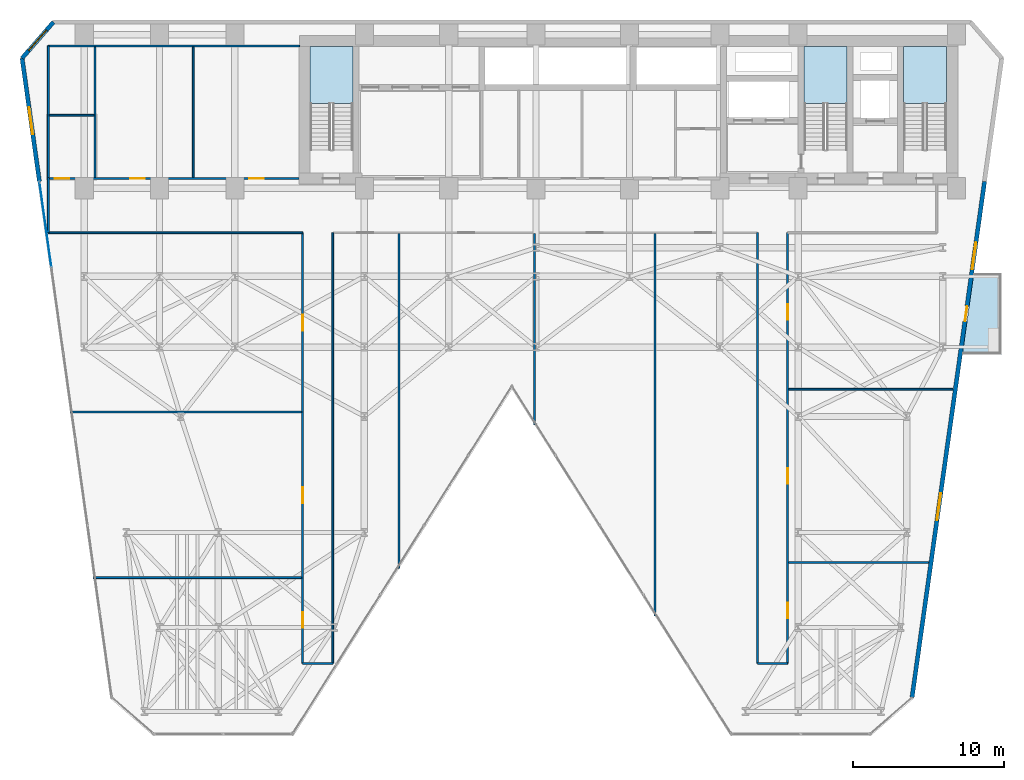
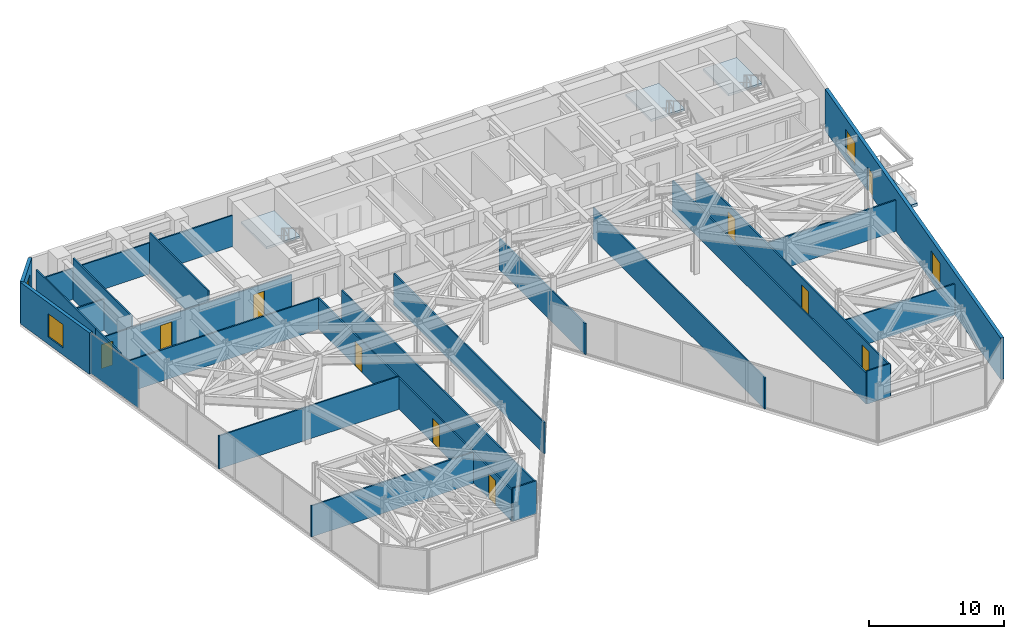
# One storey, part 19 of 24: 24 walls, 10 doors, 4 slabs, 4 windows, 1 plate, 14 openings, 4 elements without a shape of their own.
"""IFC4 building model written with IfcOpenShell, lengths in metres."""

from ifc_helpers import new_model, si_unit, direction, frame, frame_2d, origin, origin_2d, place, context, subcontext, project, spatial, polyline, rectangle, outline, extrude, material, layer, layer_set, type_object, element, fill, aggregate, save


model = new_model("IFC4")

# Units and contexts
model_context = context("Model", 3, precision=1e-05, world=origin(), true_north=direction((0.0, 1.0)))
body_context = subcontext(model_context, "Body", "Model", "MODEL_VIEW")
ifc_project = project(units=[si_unit("LENGTHUNIT", "METRE"), si_unit("AREAUNIT", "SQUARE_METRE"), si_unit("VOLUMEUNIT", "CUBIC_METRE"), si_unit("PLANEANGLEUNIT", "RADIAN"), si_unit("MASSUNIT", "GRAM", prefix="KILO")], contexts=[model_context])

# Site, building, storey
site_placement = place(None, origin())
site = spatial("IfcSite", under=ifc_project, at=site_placement, CompositionType="ELEMENT")
building_placement = place(site_placement, origin())
building = spatial("IfcBuilding", under=site, at=building_placement, Name="Kravanh Interchange Tower", CompositionType="ELEMENT")
storey_placement = place(building_placement, frame((0.0, 0.0, 45.5)))
storey = spatial("IfcBuildingStorey", under=building, at=storey_placement, Name="L10", CompositionType="ELEMENT", Elevation=45.5)

# Stair, slab
ifc_material_1 = material(Name="Concrete C50/60", Category="concrete")
stair_type = type_object("IfcStairType", Name="Core Fire Exit Dogleg Stair Concrete C50/60", PredefinedType="HALF_TURN_STAIR", material=ifc_material_1)
stair_1_placement = place(storey_placement, origin())
stair_1 = element("IfcStair", 1, at=stair_1_placement, inside=storey, type_object=stair_type, Name="L10 Exit Stair ST1", PredefinedType="HALF_TURN_STAIR")
ifc_material_2 = material(Name="Concrete C50/60", Category="concrete")
ifc_layer_1 = layer(ifc_material_2, 0.199951171875)
ifc_layer_set_1 = layer_set([ifc_layer_1], Name="Concrete C50/60 Stair Half-Landing Slab 200mm")
slab_type_1 = type_object("IfcSlabType", Name="Concrete C50/60 Stair Half-Landing Slab 200mm", PredefinedType="LANDING", material=ifc_layer_set_1)
slab_1_placement = place(storey_placement, frame((0.0, 0.0, 1.800048828125)))
slab_1 = element("IfcSlab", 2, at=slab_1_placement, type_object=slab_type_1, Name="ST1 landing 1", PredefinedType="LANDING", context=body_context, shape_type="SweptSolid", body=[
    extrude(outline(polyline([(65.85009765625, 42.97998046875), (65.85009765625, 46.75), (63.0, 46.75), (63.0, 42.97998046875), (65.85009765625, 42.97998046875)])), origin(), (0.0, 0.0, 1.0), 0.199951171875),
])
aggregate(stair_1, [slab_1])

stair_2_placement = place(storey_placement, origin())
stair_2 = element("IfcStair", 3, at=stair_2_placement, inside=storey, type_object=stair_type, Name="L10 Exit Stair ST2", PredefinedType="HALF_TURN_STAIR")
slab_2_placement = place(storey_placement, frame((0.0, 0.0, 1.800048828125)))
slab_2 = element("IfcSlab", 4, at=slab_2_placement, type_object=slab_type_1, Name="ST2 landing 1", PredefinedType="LANDING", context=body_context, shape_type="SweptSolid", body=[
    extrude(outline(polyline([(59.25, 42.97998046875), (59.25, 46.75), (56.39990234375, 46.75), (56.39990234375, 42.97998046875), (59.25, 42.97998046875)])), origin(), (0.0, 0.0, 1.0), 0.199951171875),
])
aggregate(stair_2, [slab_2])

stair_3_placement = place(storey_placement, origin())
stair_3 = element("IfcStair", 5, at=stair_3_placement, inside=storey, type_object=stair_type, Name="L10 Exit Stair ST3", PredefinedType="HALF_TURN_STAIR")
slab_3_placement = place(storey_placement, frame((0.0, 0.0, 1.800048828125)))
slab_3 = element("IfcSlab", 6, at=slab_3_placement, type_object=slab_type_1, Name="ST3 landing 1", PredefinedType="LANDING", context=body_context, shape_type="SweptSolid", body=[
    extrude(outline(polyline([(26.449951171875, 42.97998046875), (26.449951171875, 46.75), (23.60009765625, 46.75), (23.60009765625, 42.97998046875), (26.449951171875, 42.97998046875)])), origin(), (0.0, 0.0, 1.0), 0.199951171875),
])
aggregate(stair_3, [slab_3])

# Slab
ifc_material_3 = material(Name="Concrete C50/60", Category="concrete")
ifc_layer_2 = layer(ifc_material_3, 0.199951171875)
ifc_layer_set_2 = layer_set([ifc_layer_2], Name="Planted Tree Balcony Slab Concrete C50/60 200mm")
slab_type_2 = type_object("IfcSlabType", Name="Planted Tree Balcony Slab Concrete C50/60 200mm", PredefinedType="USERDEFINED", material=ifc_layer_set_2)
slab_4_placement = place(storey_placement, frame((0.0, 0.0, -0.260009765625)))
element("IfcSlab", 7, at=slab_4_placement, inside=storey, type_object=slab_type_2, Name="L10 East Tree Planter Balcony Slab", ObjectType="BALCONY", PredefinedType="USERDEFINED", context=body_context, shape_type="SweptSolid", body=[
    extrude(outline(polyline([(69.489990234375, 31.7099609375), (69.489990234375, 26.31005859375), (66.896484375, 26.31005859375), (67.655517578125, 31.7099609375), (69.489990234375, 31.7099609375)])), origin(), (0.0, 0.0, 1.0), 0.260009765625),
])

# Curtain wall, plate
ifc_material_4 = material(Name="Anodised Bronze Aluminium", Category="aluminium")
ifc_layer_3 = layer(ifc_material_4, 0.179931640625)
ifc_layer_set_3 = layer_set([ifc_layer_3], Name="Unitised Curtain Wall System CW-Z1 Lower Office")
curtain_wall_type = type_object("IfcCurtainWallType", Name="Unitised Curtain Wall System CW-Z1 Lower Office", PredefinedType="NOTDEFINED", material=ifc_layer_set_3)
curtain_wall_placement = place(storey_placement, origin())
curtain_wall = element("IfcCurtainWall", 8, at=curtain_wall_placement, inside=storey, type_object=curtain_wall_type, Name="L10 Unitised Curtain Wall CW-L10-01", PredefinedType="NOTDEFINED")
ifc_material_5 = material(Name="Low-E Laminated Architectural Glass", Category="glass")
ifc_layer_4 = layer(ifc_material_5, 0.028076171875)
ifc_layer_set_4 = layer_set([ifc_layer_4], Name="Solar-Control Double Glazing 28mm")
plate_type = type_object("IfcPlateType", Name="Solar-Control Double Glazing 28mm", PredefinedType="CURTAIN_PANEL", material=ifc_layer_set_4)
plate_placement = place(storey_placement, frame((6.028564453125, 34.927490234375, 0.06005859375), z_axis=(0.0, 0.0, 1.0), x_axis=(-0.139176538065, 0.990267585682, 0.0)))
plate = element("IfcPlate", 9, at=plate_placement, type_object=plate_type, Name="CW-Z1 panel 6.1", PredefinedType="CURTAIN_PANEL", context=body_context, shape_type="SweptSolid", body=[
    extrude(rectangle(XDim=5.66162109375, YDim=0.028076171875, at=origin_2d()), origin(), (0.0, 0.0, 1.0), 3.6201171875),
])
aggregate(curtain_wall, [plate])

# Wall, openings, doors
ifc_material_6 = material(Name="Double Acoustic Gypsum Board and Mineral Wool")
ifc_layer_5 = layer(ifc_material_6, 0.1201171875)
ifc_layer_set_5 = layer_set([ifc_layer_5], Name="Acoustic Office Drywall Partition 120mm")
wall_type_1 = type_object("IfcWallType", Name="Acoustic Office Drywall Partition 120mm", PredefinedType="PARTITIONING", material=ifc_layer_set_5)
wall_1_placement = place(storey_placement, frame((6.219970703125, 38.0, 0.0), z_axis=(0.0, 0.0, 1.0), x_axis=(1.0, 0.0, 0.0)))
wall_1 = element("IfcWall", 10, at=wall_1_placement, inside=storey, type_object=wall_type_1, Name="L10 Restroom Corridor Wall 9", PredefinedType="PARTITIONING", context=body_context, shape_type="SweptSolid", body=[
    extrude(rectangle(XDim=16.630126953125, YDim=0.1201171875, at=frame_2d((8.31494140625, 0.0))), origin(), (0.0, 0.0, 1.0), 2.81298828125),
])
opening_1_placement = place(wall_1_placement, frame((0.424072265625, 0.0, 0.0)))
opening_1 = element("IfcOpeningElement", 11, at=opening_1_placement, cuts=wall_1, Name="Opening D-95", PredefinedType="OPENING", context=body_context, shape_type="SweptSolid", body=[
    extrude(rectangle(XDim=0.949951171875, YDim=2.14990234375, at=frame_2d((0.47509765625, 1.074951171875))), frame((0.0, 0.070068359375, 0.0), z_axis=(0.0, -1.0, 0.0), x_axis=(1.0, 0.0, 0.0)), (0.0, 0.0, 1.0), 0.14013671875),
])
opening_2_placement = place(wall_1_placement, frame((5.444091796875, 0.0, 0.0)))
opening_2 = element("IfcOpeningElement", 12, at=opening_2_placement, cuts=wall_1, Name="Opening D-95", PredefinedType="OPENING", context=body_context, shape_type="SweptSolid", body=[
    extrude(rectangle(XDim=0.949951171875, YDim=2.14990234375, at=frame_2d((0.47509765625, 1.074951171875))), frame((0.0, 0.070068359375, 0.0), z_axis=(0.0, -1.0, 0.0), x_axis=(1.0, 0.0, 0.0)), (0.0, 0.0, 1.0), 0.14013671875),
])
opening_3_placement = place(wall_1_placement, frame((13.343994140625, 0.0, 0.0)))
opening_3 = element("IfcOpeningElement", 13, at=opening_3_placement, cuts=wall_1, Name="Opening D-95", PredefinedType="OPENING", context=body_context, shape_type="SweptSolid", body=[
    extrude(rectangle(XDim=0.949951171875, YDim=2.14990234375, at=frame_2d((0.47509765625, 1.074951171875))), frame((0.0, 0.070068359375, 0.0), z_axis=(0.0, -1.0, 0.0), x_axis=(1.0, 0.0, 0.0)), (0.0, 0.0, 1.0), 0.14013671875),
])
ifc_material_7 = material(Name="Laminate Solid-Core Timber", Category="wood")
door_type_1 = type_object("IfcDoorType", Name="Accessible Restroom Door 950x2150", OperationType="NOTDEFINED", PredefinedType="DOOR", material=ifc_material_7)
door_1_placement = place(opening_1_placement, origin())
door_1 = element("IfcDoor", 14, at=door_1_placement, inside=storey, type_object=door_type_1, Name="L10 Accessible WC Door", OperationType="SINGLE_SWING_RIGHT", OverallHeight=2.14990234375, OverallWidth=0.949951171875, PredefinedType="DOOR", context=body_context, shape_type="SweptSolid", body=[
    extrude(rectangle(XDim=0.949951171875, YDim=2.14990234375, at=frame_2d((0.47509765625, 1.074951171875))), frame((0.0, 0.02490234375, 0.0), z_axis=(0.0, -1.0, 0.0), x_axis=(1.0, 0.0, 0.0)), (0.0, 0.0, 1.0), 0.050048828125),
])
fill(opening_1, door_1)
door_2_placement = place(opening_2_placement, origin())
door_2 = element("IfcDoor", 15, at=door_2_placement, inside=storey, type_object=door_type_1, Name="L10 Female WC Door", OperationType="SINGLE_SWING_LEFT", OverallHeight=2.14990234375, OverallWidth=0.949951171875, PredefinedType="DOOR", context=body_context, shape_type="SweptSolid", body=[
    extrude(rectangle(XDim=0.949951171875, YDim=2.14990234375, at=frame_2d((0.47509765625, 1.074951171875))), frame((0.0, 0.02490234375, 0.0), z_axis=(0.0, -1.0, 0.0), x_axis=(1.0, 0.0, 0.0)), (0.0, 0.0, 1.0), 0.050048828125),
])
fill(opening_2, door_2)
door_3_placement = place(opening_3_placement, origin())
door_3 = element("IfcDoor", 16, at=door_3_placement, inside=storey, type_object=door_type_1, Name="L10 Male WC Door", OperationType="SINGLE_SWING_RIGHT", OverallHeight=2.14990234375, OverallWidth=0.949951171875, PredefinedType="DOOR", context=body_context, shape_type="SweptSolid", body=[
    extrude(rectangle(XDim=0.949951171875, YDim=2.14990234375, at=frame_2d((0.47509765625, 1.074951171875))), frame((0.0, 0.02490234375, 0.0), z_axis=(0.0, -1.0, 0.0), x_axis=(1.0, 0.0, 0.0)), (0.0, 0.0, 1.0), 0.050048828125),
])
fill(opening_3, door_3)

# Walls
wall_2_placement = place(storey_placement, frame((6.219970703125, 38.0, 0.0), z_axis=(0.0, 0.0, 1.0), x_axis=(0.0, 1.0, 0.0)))
element("IfcWall", 17, at=wall_2_placement, inside=storey, type_object=wall_type_1, Name="L10 Restroom West Enclosure 10", PredefinedType="PARTITIONING", context=body_context, shape_type="SweptSolid", body=[
    extrude(rectangle(XDim=8.800048828125, YDim=0.1201171875, at=frame_2d((4.39990234375, 0.0))), origin(), (0.0, 0.0, 1.0), 3.739990234375),
])
wall_3_placement = place(storey_placement, frame((6.219970703125, 46.800048828125, 0.0), z_axis=(0.0, 0.0, 1.0), x_axis=(1.0, 0.0, 0.0)))
element("IfcWall", 18, at=wall_3_placement, inside=storey, type_object=wall_type_1, Name="L10 Restroom North Enclosure 11", PredefinedType="PARTITIONING", context=body_context, shape_type="SweptSolid", body=[
    extrude(rectangle(XDim=16.679931640625, YDim=0.1201171875, at=frame_2d((8.33984375, 0.0))), origin(), (0.0, 0.0, 1.0), 2.81298828125),
])
for number, where, z_axis, x_axis, name in (
    (19, (9.320068359375, 38.068115234375, 0.0), (0.0, 0.0, 1.0), (0.0, 1.0, 0.0), "L10 Interior Partition 12"),
    (20, (15.840087890625, 38.068115234375, 0.0), (0.0, 0.0, 1.0), (0.0, 1.0, 0.0), "L10 Interior Partition 13"),
):
    element("IfcWall", number, at=place(storey_placement, frame(where, z_axis=z_axis, x_axis=x_axis)), inside=storey, type_object=wall_type_1, Name=name, PredefinedType="PARTITIONING", context=body_context, shape_type="SweptSolid", body=[
        extrude(rectangle(XDim=8.663818359375, YDim=0.1201171875, at=frame_2d((4.33203125, 0.0))), origin(), (0.0, 0.0, 1.0), 3.739990234375),
    ])
wall_4_placement = place(storey_placement, frame((6.2880859375, 42.199951171875, 0.0), z_axis=(0.0, 0.0, 1.0), x_axis=(1.0, 0.0, 0.0)))
element("IfcWall", 21, at=wall_4_placement, inside=storey, type_object=wall_type_1, Name="L10 Interior Partition 14", PredefinedType="PARTITIONING", context=body_context, shape_type="SweptSolid", body=[
    extrude(rectangle(XDim=2.9638671875, YDim=0.1201171875, at=frame_2d((1.48193359375, 0.0))), origin(), (0.0, 0.0, 1.0), 2.81298828125),
])
wall_5_placement = place(storey_placement, frame((6.219970703125, 34.39990234375, 0.0), z_axis=(0.0, 0.0, 1.0), x_axis=(1.0, 0.0, 0.0)))
element("IfcWall", 22, at=wall_5_placement, inside=storey, type_object=wall_type_1, Name="L10 Interior Partition 15", PredefinedType="PARTITIONING", context=body_context, shape_type="SweptSolid", body=[
    extrude(rectangle(XDim=16.880126953125, YDim=0.1201171875, at=frame_2d((8.43994140625, 0.0))), origin(), (0.0, 0.0, 1.0), 2.81298828125),
])
wall_6_placement = place(storey_placement, frame((6.219970703125, 34.39990234375, 0.0), z_axis=(0.0, 0.0, 1.0), x_axis=(0.0, 1.0, 0.0)))
element("IfcWall", 23, at=wall_6_placement, inside=storey, type_object=wall_type_1, Name="L10 Interior Partition 18", PredefinedType="PARTITIONING", context=body_context, shape_type="SweptSolid", body=[
    extrude(rectangle(XDim=3.650146484375, YDim=0.1201171875, at=frame_2d((1.8251953125, 0.0))), origin(), (0.0, 0.0, 1.0), 3.739990234375),
])

# Wall, openings, doors
wall_7_placement = place(storey_placement, frame((23.10009765625, 5.800048828125, 0.0), z_axis=(0.0, 0.0, 1.0), x_axis=(0.0, 1.0, 0.0)))
wall_7 = element("IfcWall", 24, at=wall_7_placement, inside=storey, type_object=wall_type_1, Name="L10 Interior Partition 20", PredefinedType="PARTITIONING", context=body_context, shape_type="SweptSolid", body=[
    extrude(rectangle(XDim=28.599853515625, YDim=0.1201171875, at=frame_2d((14.2998046875, 0.0))), origin(), (0.0, 0.0, 1.0), 2.81298828125),
])
opening_4_placement = place(wall_7_placement, frame((2.365478515625, 0.0, 0.0)))
opening_4 = element("IfcOpeningElement", 25, at=opening_4_placement, cuts=wall_7, Name="Opening D-105", PredefinedType="OPENING", context=body_context, shape_type="SweptSolid", body=[
    extrude(rectangle(XDim=1.050048828125, YDim=2.199951171875, at=frame_2d((0.52490234375, 1.10009765625))), frame((0.0, 0.070068359375, 0.0), z_axis=(0.0, -1.0, 0.0), x_axis=(1.0, 0.0, 0.0)), (0.0, 0.0, 1.0), 0.14013671875),
])
opening_5_placement = place(wall_7_placement, frame((10.634765625, 0.0, 0.0)))
opening_5 = element("IfcOpeningElement", 26, at=opening_5_placement, cuts=wall_7, Name="Opening D-105", PredefinedType="OPENING", context=body_context, shape_type="SweptSolid", body=[
    extrude(rectangle(XDim=1.050048828125, YDim=2.199951171875, at=frame_2d((0.52490234375, 1.10009765625))), frame((0.0, 0.070068359375, 0.0), z_axis=(0.0, -1.0, 0.0), x_axis=(1.0, 0.0, 0.0)), (0.0, 0.0, 1.0), 0.14013671875),
])
opening_6_placement = place(wall_7_placement, frame((22.10009765625, 0.0, 0.0)))
opening_6 = element("IfcOpeningElement", 27, at=opening_6_placement, cuts=wall_7, Name="Opening D-105", PredefinedType="OPENING", context=body_context, shape_type="SweptSolid", body=[
    extrude(rectangle(XDim=1.050048828125, YDim=2.199951171875, at=frame_2d((0.52490234375, 1.10009765625))), frame((0.0, 0.070068359375, 0.0), z_axis=(0.0, -1.0, 0.0), x_axis=(1.0, 0.0, 0.0)), (0.0, 0.0, 1.0), 0.14013671875),
])
ifc_material_8 = material(Name="Acoustic Glazed Oak and Aluminium", Category="aluminium")
door_type_2 = type_object("IfcDoorType", Name="Office Workplace Door 1050x2200", OperationType="NOTDEFINED", PredefinedType="DOOR", material=ifc_material_8)
door_4_placement = place(opening_4_placement, origin())
door_4 = element("IfcDoor", 28, at=door_4_placement, inside=storey, type_object=door_type_2, Name="L10 SW Salon Lounge Door", OperationType="SINGLE_SWING_LEFT", OverallHeight=2.199951171875, OverallWidth=1.050048828125, PredefinedType="DOOR", context=body_context, shape_type="SweptSolid", body=[
    extrude(rectangle(XDim=1.050048828125, YDim=2.199951171875, at=frame_2d((0.52490234375, 1.10009765625))), frame((0.0, 0.02490234375, 0.0), z_axis=(0.0, -1.0, 0.0), x_axis=(1.0, 0.0, 0.0)), (0.0, 0.0, 1.0), 0.050048828125),
])
fill(opening_4, door_4)
door_5_placement = place(opening_5_placement, origin())
door_5 = element("IfcDoor", 29, at=door_5_placement, inside=storey, type_object=door_type_2, Name="L10 West Balcony Office Door", OperationType="SINGLE_SWING_RIGHT", OverallHeight=2.199951171875, OverallWidth=1.050048828125, PredefinedType="DOOR", context=body_context, shape_type="SweptSolid", body=[
    extrude(rectangle(XDim=1.050048828125, YDim=2.199951171875, at=frame_2d((0.52490234375, 1.10009765625))), frame((0.0, 0.02490234375, 0.0), z_axis=(0.0, -1.0, 0.0), x_axis=(1.0, 0.0, 0.0)), (0.0, 0.0, 1.0), 0.050048828125),
])
fill(opening_5, door_5)
door_6_placement = place(opening_6_placement, origin())
door_6 = element("IfcDoor", 30, at=door_6_placement, inside=storey, type_object=door_type_2, Name="L10 NW Quiet Study Door", OperationType="SINGLE_SWING_LEFT", OverallHeight=2.199951171875, OverallWidth=1.050048828125, PredefinedType="DOOR", context=body_context, shape_type="SweptSolid", body=[
    extrude(rectangle(XDim=1.050048828125, YDim=2.199951171875, at=frame_2d((0.52490234375, 1.10009765625))), frame((0.0, 0.02490234375, 0.0), z_axis=(0.0, -1.0, 0.0), x_axis=(1.0, 0.0, 0.0)), (0.0, 0.0, 1.0), 0.050048828125),
])
fill(opening_6, door_6)

# Walls
wall_8_placement = place(storey_placement, frame((25.10009765625, 5.800048828125, 0.0), z_axis=(0.0, 0.0, 1.0), x_axis=(0.0, 1.0, 0.0)))
element("IfcWall", 31, at=wall_8_placement, inside=storey, type_object=wall_type_1, Name="L10 Interior Partition 21", PredefinedType="PARTITIONING", context=body_context, shape_type="SweptSolid", body=[
    extrude(rectangle(XDim=28.599853515625, YDim=0.1201171875, at=frame_2d((14.2998046875, 0.0))), origin(), (0.0, 0.0, 1.0), 2.81298828125),
])
wall_9_placement = place(storey_placement, frame((23.10009765625, 5.800048828125, 0.0), z_axis=(0.0, 0.0, 1.0), x_axis=(1.0, 0.0, 0.0)))
element("IfcWall", 32, at=wall_9_placement, inside=storey, type_object=wall_type_1, Name="L10 Interior Partition 22", PredefinedType="PARTITIONING", context=body_context, shape_type="SweptSolid", body=[
    extrude(rectangle(XDim=2.0, YDim=0.1201171875, at=frame_2d((1.0, 0.0))), origin(), (0.0, 0.0, 1.0), 2.97802734375),
])
wall_10_placement = place(storey_placement, frame((53.300048828125, 5.800048828125, 0.0), z_axis=(0.0, 0.0, 1.0), x_axis=(0.0, 1.0, 0.0)))
element("IfcWall", 33, at=wall_10_placement, inside=storey, type_object=wall_type_1, Name="L10 Interior Partition 23", PredefinedType="PARTITIONING", context=body_context, shape_type="SweptSolid", body=[
    extrude(rectangle(XDim=28.599853515625, YDim=0.1201171875, at=frame_2d((14.2998046875, 0.0))), origin(), (0.0, 0.0, 1.0), 2.81298828125),
])

# Wall, openings, doors
wall_11_placement = place(storey_placement, frame((55.300048828125, 5.800048828125, 0.0), z_axis=(0.0, 0.0, 1.0), x_axis=(0.0, 1.0, 0.0)))
wall_11 = element("IfcWall", 34, at=wall_11_placement, inside=storey, type_object=wall_type_1, Name="L10 Interior Partition 24", PredefinedType="PARTITIONING", context=body_context, shape_type="SweptSolid", body=[
    extrude(rectangle(XDim=28.599853515625, YDim=0.1201171875, at=frame_2d((14.2998046875, 0.0))), origin(), (0.0, 0.0, 1.0), 2.81298828125),
])
opening_7_placement = place(wall_11_placement, frame((2.9853515625, 0.0, 0.0)))
opening_7 = element("IfcOpeningElement", 35, at=opening_7_placement, cuts=wall_11, Name="Opening D-105", PredefinedType="OPENING", context=body_context, shape_type="SweptSolid", body=[
    extrude(rectangle(XDim=1.050048828125, YDim=2.199951171875, at=frame_2d((0.52490234375, 1.10009765625))), frame((0.0, 0.070068359375, 0.0), z_axis=(0.0, -1.0, 0.0), x_axis=(1.0, 0.0, 0.0)), (0.0, 0.0, 1.0), 0.14013671875),
])
opening_8_placement = place(wall_11_placement, frame((11.925048828125, 0.0, 0.0)))
opening_8 = element("IfcOpeningElement", 36, at=opening_8_placement, cuts=wall_11, Name="Opening D-105", PredefinedType="OPENING", context=body_context, shape_type="SweptSolid", body=[
    extrude(rectangle(XDim=1.050048828125, YDim=2.199951171875, at=frame_2d((0.52490234375, 1.10009765625))), frame((0.0, 0.070068359375, 0.0), z_axis=(0.0, -1.0, 0.0), x_axis=(1.0, 0.0, 0.0)), (0.0, 0.0, 1.0), 0.14013671875),
])
opening_9_placement = place(wall_11_placement, frame((22.809814453125, 0.0, 0.0)))
opening_9 = element("IfcOpeningElement", 37, at=opening_9_placement, cuts=wall_11, Name="Opening D-105", PredefinedType="OPENING", context=body_context, shape_type="SweptSolid", body=[
    extrude(rectangle(XDim=1.050048828125, YDim=2.199951171875, at=frame_2d((0.52490234375, 1.10009765625))), frame((0.0, 0.070068359375, 0.0), z_axis=(0.0, -1.0, 0.0), x_axis=(1.0, 0.0, 0.0)), (0.0, 0.0, 1.0), 0.14013671875),
])
door_7_placement = place(opening_7_placement, origin())
door_7 = element("IfcDoor", 38, at=door_7_placement, inside=storey, type_object=door_type_2, Name="L10 SE Panorama Lounge Door", OperationType="SINGLE_SWING_RIGHT", OverallHeight=2.199951171875, OverallWidth=1.050048828125, PredefinedType="DOOR", context=body_context, shape_type="SweptSolid", body=[
    extrude(rectangle(XDim=1.050048828125, YDim=2.199951171875, at=frame_2d((0.52490234375, 1.10009765625))), frame((0.0, 0.02490234375, 0.0), z_axis=(0.0, -1.0, 0.0), x_axis=(1.0, 0.0, 0.0)), (0.0, 0.0, 1.0), 0.050048828125),
])
fill(opening_7, door_7)
door_8_placement = place(opening_8_placement, origin())
door_8 = element("IfcDoor", 39, at=door_8_placement, inside=storey, type_object=door_type_2, Name="L10 East Balcony Lounge Door", OperationType="SINGLE_SWING_LEFT", OverallHeight=2.199951171875, OverallWidth=1.050048828125, PredefinedType="DOOR", context=body_context, shape_type="SweptSolid", body=[
    extrude(rectangle(XDim=1.050048828125, YDim=2.199951171875, at=frame_2d((0.52490234375, 1.10009765625))), frame((0.0, 0.02490234375, 0.0), z_axis=(0.0, -1.0, 0.0), x_axis=(1.0, 0.0, 0.0)), (0.0, 0.0, 1.0), 0.050048828125),
])
fill(opening_8, door_8)
door_9_placement = place(opening_9_placement, origin())
door_9 = element("IfcDoor", 40, at=door_9_placement, inside=storey, type_object=door_type_2, Name="L10 NE Reading Study Door", OperationType="SINGLE_SWING_RIGHT", OverallHeight=2.199951171875, OverallWidth=1.050048828125, PredefinedType="DOOR", context=body_context, shape_type="SweptSolid", body=[
    extrude(rectangle(XDim=1.050048828125, YDim=2.199951171875, at=frame_2d((0.52490234375, 1.10009765625))), frame((0.0, 0.02490234375, 0.0), z_axis=(0.0, -1.0, 0.0), x_axis=(1.0, 0.0, 0.0)), (0.0, 0.0, 1.0), 0.050048828125),
])
fill(opening_9, door_9)

# Walls
wall_12_placement = place(storey_placement, frame((53.300048828125, 5.800048828125, 0.0), z_axis=(0.0, 0.0, 1.0), x_axis=(1.0, 0.0, 0.0)))
element("IfcWall", 41, at=wall_12_placement, inside=storey, type_object=wall_type_1, Name="L10 Interior Partition 25", PredefinedType="PARTITIONING", context=body_context, shape_type="SweptSolid", body=[
    extrude(rectangle(XDim=2.0, YDim=0.1201171875, at=frame_2d((1.0, 0.0))), origin(), (0.0, 0.0, 1.0), 2.97802734375),
])
wall_13_placement = place(storey_placement, frame((9.215087890625, 11.5, 0.0), z_axis=(0.0, 0.0, 1.0), x_axis=(1.0, 0.0, 0.0)))
element("IfcWall", 42, at=wall_13_placement, inside=storey, type_object=wall_type_1, Name="L10 Interior Partition 26", PredefinedType="PARTITIONING", context=body_context, shape_type="SweptSolid", body=[
    extrude(rectangle(XDim=13.81689453125, YDim=0.1201171875, at=frame_2d((6.908447265625, 0.0))), origin(), (0.0, 0.0, 1.0), 2.81298828125),
])
wall_14_placement = place(storey_placement, frame((7.669189453125, 22.5, 0.0), z_axis=(0.0, 0.0, 1.0), x_axis=(1.0, 0.0, 0.0)))
element("IfcWall", 43, at=wall_14_placement, inside=storey, type_object=wall_type_1, Name="L10 Interior Partition 27", PredefinedType="PARTITIONING", context=body_context, shape_type="SweptSolid", body=[
    extrude(rectangle(XDim=15.36279296875, YDim=0.1201171875, at=frame_2d((7.681396484375, 0.0))), origin(), (0.0, 0.0, 1.0), 2.97802734375),
])
wall_15_placement = place(storey_placement, frame((55.367919921875, 12.5, 0.0), z_axis=(0.0, 0.0, 1.0), x_axis=(1.0, 0.0, 0.0)))
element("IfcWall", 44, at=wall_15_placement, inside=storey, type_object=wall_type_1, Name="L10 Interior Partition 28", PredefinedType="PARTITIONING", context=body_context, shape_type="SweptSolid", body=[
    extrude(rectangle(XDim=9.28466796875, YDim=0.1201171875, at=frame_2d((4.642333984375, 0.0))), origin(), (0.0, 0.0, 1.0), 2.81298828125),
])
wall_16_placement = place(storey_placement, frame((55.367919921875, 24.0, 0.0), z_axis=(0.0, 0.0, 1.0), x_axis=(1.0, 0.0, 0.0)))
element("IfcWall", 45, at=wall_16_placement, inside=storey, type_object=wall_type_1, Name="L10 Interior Partition 29", PredefinedType="PARTITIONING", context=body_context, shape_type="SweptSolid", body=[
    extrude(rectangle(XDim=10.901123046875, YDim=0.1201171875, at=frame_2d((5.45068359375, 0.0))), origin(), (0.0, 0.0, 1.0), 2.81298828125),
])
wall_17_placement = place(storey_placement, frame((29.5, 12.131591796875, 0.0), z_axis=(0.0, 0.0, 1.0), x_axis=(0.0, 1.0, 0.0)))
element("IfcWall", 46, at=wall_17_placement, inside=storey, type_object=wall_type_1, Name="L10 Interior Partition 30", PredefinedType="PARTITIONING", context=body_context, shape_type="SweptSolid", body=[
    extrude(rectangle(XDim=22.200439453125, YDim=0.1201171875, at=frame_2d((11.10009765625, 0.0))), origin(), (0.0, 0.0, 1.0), 2.81298828125),
])
wall_18_placement = place(storey_placement, frame((38.5, 21.648681640625, 0.0), z_axis=(0.0, 0.0, 1.0), x_axis=(0.0, 1.0, 0.0)))
element("IfcWall", 47, at=wall_18_placement, inside=storey, type_object=wall_type_1, Name="L10 Interior Partition 31", PredefinedType="PARTITIONING", context=body_context, shape_type="SweptSolid", body=[
    extrude(rectangle(XDim=12.683349609375, YDim=0.1201171875, at=frame_2d((6.341796875, 0.0))), origin(), (0.0, 0.0, 1.0), 2.81298828125),
])
wall_19_placement = place(storey_placement, frame((46.5, 8.959228515625, 0.0), z_axis=(0.0, 0.0, 1.0), x_axis=(0.0, 1.0, 0.0)))
element("IfcWall", 48, at=wall_19_placement, inside=storey, type_object=wall_type_1, Name="L10 Interior Partition 32", PredefinedType="PARTITIONING", context=body_context, shape_type="SweptSolid", body=[
    extrude(rectangle(XDim=25.372802734375, YDim=0.1201171875, at=frame_2d((12.6865234375, 0.0))), origin(), (0.0, 0.0, 1.0), 2.81298828125),
])

# Wall, opening, window
ifc_material_9 = material(Name="Insulated Precast Concrete C40/50 with Bronze Cladding", Category="concrete")
ifc_layer_6 = layer(ifc_material_9, 0.280029296875)
ifc_layer_set_6 = layer_set([ifc_layer_6], Name="Exterior Insulated Concrete C40/50 Bronze Spandrel Wall 280mm")
wall_type_2 = type_object("IfcWallType", Name="Exterior Insulated Concrete C40/50 Bronze Spandrel Wall 280mm", PredefinedType="STANDARD", material=ifc_layer_set_6)
wall_20_placement = place(storey_placement, frame((5.625, 37.800048828125, 0.0), z_axis=(0.0, 0.0, 1.0), x_axis=(-0.139180172484, 0.990267074878, 0.0)))
wall_20 = element("IfcWall", 49, at=wall_20_placement, inside=storey, type_object=wall_type_2, Name="L10 Exterior Wall 1", PredefinedType="STANDARD", context=body_context, shape_type="SweptSolid", body=[
    extrude(rectangle(XDim=8.267333984375, YDim=0.280029296875, at=frame_2d((4.1337890625, 0.0))), origin(), (0.0, 0.0, 1.0), 3.739990234375),
])
opening_10_placement = place(wall_20_placement, frame((3.1728515625, 0.0, 0.64990234375)))
opening_10 = element("IfcOpeningElement", 50, at=opening_10_placement, cuts=wall_20, Name="Opening WN-180X210", PredefinedType="OPENING", context=body_context, shape_type="SweptSolid", body=[
    extrude(rectangle(XDim=1.800048828125, YDim=2.10009765625, at=frame_2d((0.89990234375, 1.050048828125))), frame((0.0, 0.14990234375, 0.0), z_axis=(0.0, -1.0, 0.0), x_axis=(1.0, 0.0, 0.0)), (0.0, 0.0, 1.0), 0.300048828125),
])
ifc_material_10 = material(Name="Thermally Broken Bronze Aluminium and Low-E Glass", Category="aluminium")
window_type = type_object("IfcWindowType", Name="Tower Pier Window 1800x2100", PartitioningType="SINGLE_PANEL", PredefinedType="WINDOW", material=ifc_material_10)
window_1_placement = place(opening_10_placement, origin())
window_1 = element("IfcWindow", 51, at=window_1_placement, inside=storey, type_object=window_type, Name="L10 Corner Window 1", OverallHeight=2.10009765625, OverallWidth=1.800048828125, PartitioningType="SINGLE_PANEL", PredefinedType="WINDOW", context=body_context, shape_type="SweptSolid", body=[
    extrude(rectangle(XDim=1.800048828125, YDim=2.10009765625, at=frame_2d((0.89990234375, 1.050048828125))), frame((0.0, 0.030029296875, 0.0), z_axis=(0.0, -1.0, 0.0), x_axis=(1.0, 0.0, 0.0)), (0.0, 0.0, 1.0), 0.06005859375),
])
fill(opening_10, window_1)

wall_21_placement = place(storey_placement, frame((4.474365234375, 45.98681640625, 0.0), z_axis=(0.0, 0.0, 1.0), x_axis=(0.656070053895, 0.754699996278, 0.0)))
wall_21 = element("IfcWall", 52, at=wall_21_placement, inside=storey, type_object=wall_type_2, Name="L10 Exterior Wall 2", PredefinedType="STANDARD", context=body_context, shape_type="SweptSolid", body=[
    extrude(rectangle(XDim=3.1708984375, YDim=0.280029296875, at=frame_2d((1.58544921875, 0.0))), origin(), (0.0, 0.0, 1.0), 3.739990234375),
])
opening_11_placement = place(wall_21_placement, frame((0.66650390625, 0.0, 0.64990234375)))
opening_11 = element("IfcOpeningElement", 53, at=opening_11_placement, cuts=wall_21, Name="Opening WN-180X210", PredefinedType="OPENING", context=body_context, shape_type="SweptSolid", body=[
    extrude(rectangle(XDim=1.800048828125, YDim=2.10009765625, at=frame_2d((0.89990234375, 1.050048828125))), frame((0.0, 0.14990234375, 0.0), z_axis=(0.0, -1.0, 0.0), x_axis=(1.0, 0.0, 0.0)), (0.0, 0.0, 1.0), 0.300048828125),
])
window_2_placement = place(opening_11_placement, origin())
window_2 = element("IfcWindow", 54, at=window_2_placement, inside=storey, type_object=window_type, Name="L10 Corner Window 2", OverallHeight=2.10009765625, OverallWidth=1.800048828125, PartitioningType="SINGLE_PANEL", PredefinedType="WINDOW", context=body_context, shape_type="SweptSolid", body=[
    extrude(rectangle(XDim=1.800048828125, YDim=2.10009765625, at=frame_2d((0.89990234375, 1.050048828125))), frame((0.0, 0.030029296875, 0.0), z_axis=(0.0, -1.0, 0.0), x_axis=(1.0, 0.0, 0.0)), (0.0, 0.0, 1.0), 0.06005859375),
])
fill(opening_11, window_2)

# Wall, openings, door, windows
wall_22_placement = place(storey_placement, frame((68.375, 37.800048828125, 0.0), z_axis=(0.0, 0.0, 1.0), x_axis=(-0.139174610616, -0.990267856572, 0.0)))
wall_22 = element("IfcWall", 55, at=wall_22_placement, inside=storey, type_object=wall_type_2, Name="L10 Exterior Wall 6", PredefinedType="STANDARD", context=body_context, shape_type="SweptSolid", body=[
    extrude(rectangle(XDim=34.599853515625, YDim=0.280029296875, at=frame_2d((17.2998046875, 0.0))), origin(), (0.0, 0.0, 1.0), 3.739990234375),
])
opening_12_placement = place(wall_22_placement, frame((8.359619140625, 0.0, 0.0)))
opening_12 = element("IfcOpeningElement", 56, at=opening_12_placement, cuts=wall_22, Name="Opening ED-BAL100", PredefinedType="OPENING", context=body_context, shape_type="SweptSolid", body=[
    extrude(rectangle(XDim=1.0, YDim=2.14990234375, at=frame_2d((0.5, 1.074951171875))), frame((0.0, 0.14990234375, 0.0), z_axis=(0.0, -1.0, 0.0), x_axis=(1.0, 0.0, 0.0)), (0.0, 0.0, 1.0), 0.300048828125),
])
opening_13_placement = place(wall_22_placement, frame((4.09228515625, 0.0, 0.64990234375)))
opening_13 = element("IfcOpeningElement", 57, at=opening_13_placement, cuts=wall_22, Name="Opening WN-180X210", PredefinedType="OPENING", context=body_context, shape_type="SweptSolid", body=[
    extrude(rectangle(XDim=1.800048828125, YDim=2.10009765625, at=frame_2d((0.89990234375, 1.050048828125))), frame((0.0, 0.14990234375, 0.0), z_axis=(0.0, -1.0, 0.0), x_axis=(1.0, 0.0, 0.0)), (0.0, 0.0, 1.0), 0.300048828125),
])
opening_14_placement = place(wall_22_placement, frame((20.902587890625, 0.0, 0.64990234375)))
opening_14 = element("IfcOpeningElement", 58, at=opening_14_placement, cuts=wall_22, Name="Opening WN-180X210", PredefinedType="OPENING", context=body_context, shape_type="SweptSolid", body=[
    extrude(rectangle(XDim=1.800048828125, YDim=2.10009765625, at=frame_2d((0.89990234375, 1.050048828125))), frame((0.0, 0.14990234375, 0.0), z_axis=(0.0, -1.0, 0.0), x_axis=(1.0, 0.0, 0.0)), (0.0, 0.0, 1.0), 0.300048828125),
])
ifc_material_11 = material(Name="Thermally Broken Bronze Aluminium and Laminated Glass", Category="aluminium")
door_type_3 = type_object("IfcDoorType", Name="Balcony Glazed Door 1000x2150", OperationType="NOTDEFINED", PredefinedType="DOOR", material=ifc_material_11)
door_10_placement = place(opening_12_placement, origin())
door_10 = element("IfcDoor", 59, at=door_10_placement, inside=storey, type_object=door_type_3, Name="L10 E Tree Balcony Access Door", OperationType="SINGLE_SWING_RIGHT", OverallHeight=2.14990234375, OverallWidth=1.0, PredefinedType="DOOR", context=body_context, shape_type="SweptSolid", body=[
    extrude(rectangle(XDim=1.0, YDim=2.14990234375, at=frame_2d((0.5, 1.074951171875))), frame((0.0, 0.02490234375, 0.0), z_axis=(0.0, -1.0, 0.0), x_axis=(1.0, 0.0, 0.0)), (0.0, 0.0, 1.0), 0.050048828125),
])
fill(opening_12, door_10)
window_3_placement = place(opening_13_placement, origin())
window_3 = element("IfcWindow", 60, at=window_3_placement, inside=storey, type_object=window_type, Name="L10 Facade Window 6A", OverallHeight=2.10009765625, OverallWidth=1.800048828125, PartitioningType="SINGLE_PANEL", PredefinedType="WINDOW", context=body_context, shape_type="SweptSolid", body=[
    extrude(rectangle(XDim=1.800048828125, YDim=2.10009765625, at=frame_2d((0.89990234375, 1.050048828125))), frame((0.0, 0.030029296875, 0.0), z_axis=(0.0, -1.0, 0.0), x_axis=(1.0, 0.0, 0.0)), (0.0, 0.0, 1.0), 0.06005859375),
])
fill(opening_13, window_3)
window_4_placement = place(opening_14_placement, origin())
window_4 = element("IfcWindow", 61, at=window_4_placement, inside=storey, type_object=window_type, Name="L10 Facade Window 6B", OverallHeight=2.10009765625, OverallWidth=1.800048828125, PartitioningType="SINGLE_PANEL", PredefinedType="WINDOW", context=body_context, shape_type="SweptSolid", body=[
    extrude(rectangle(XDim=1.800048828125, YDim=2.10009765625, at=frame_2d((0.89990234375, 1.050048828125))), frame((0.0, 0.030029296875, 0.0), z_axis=(0.0, -1.0, 0.0), x_axis=(1.0, 0.0, 0.0)), (0.0, 0.0, 1.0), 0.06005859375),
])
fill(opening_14, window_4)

save(model, "model.ifc")
